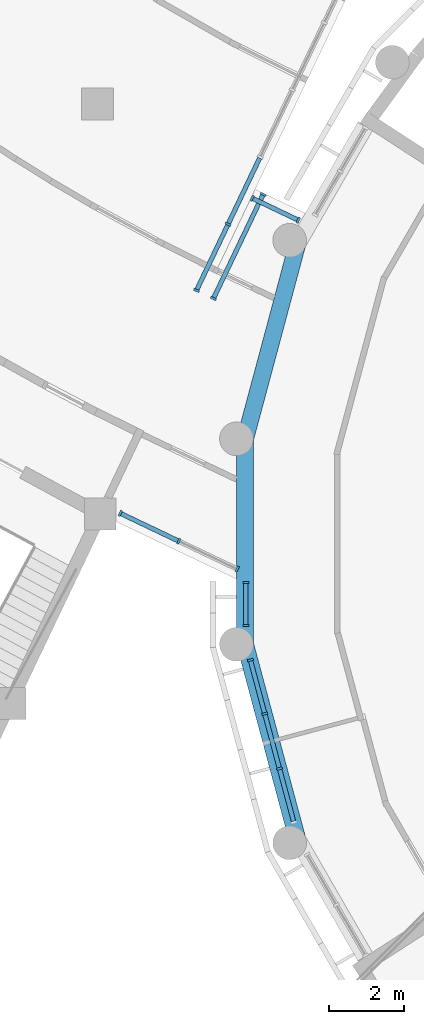
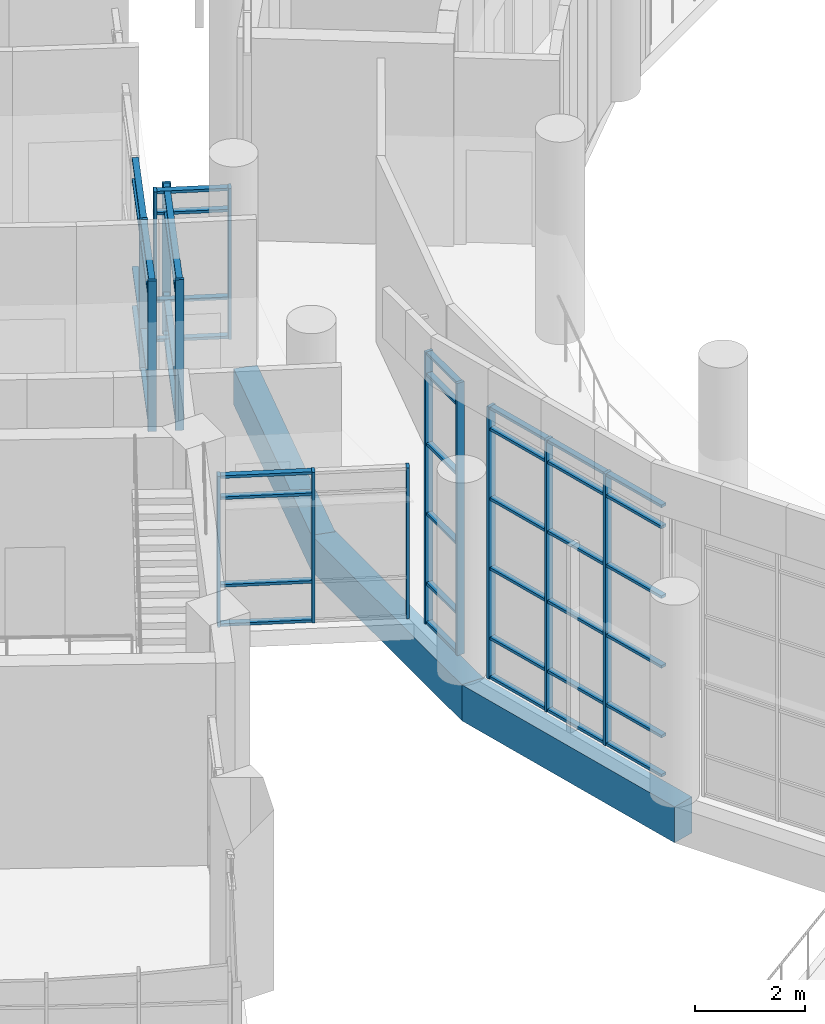
# One storey, part 12 of 136: 58 members, 3 beams, 6 elements without a shape of their own.
"""IFC4 building model written with IfcOpenShell, lengths in metres."""

from ifc_helpers import new_model, si_unit, direction, frame, origin, origin_2d, place, context, subcontext, project, spatial, rectangle, extrude, material, material_profile, profile_set, type_object, element, aggregate, save


model = new_model("IFC4")

# Units and contexts
model_context = context("Model", 3, precision=1e-05, world=origin(), true_north=direction((0.0, 1.0)))
body_context = subcontext(model_context, "Body", "Model", "MODEL_VIEW")
ifc_project = project(units=[si_unit("LENGTHUNIT", "METRE"), si_unit("AREAUNIT", "SQUARE_METRE"), si_unit("VOLUMEUNIT", "CUBIC_METRE"), si_unit("PLANEANGLEUNIT", "RADIAN"), si_unit("MASSUNIT", "GRAM", prefix="KILO")], contexts=[model_context])

# Site, building, storey
site_placement = place(None, origin())
site = spatial("IfcSite", under=ifc_project, at=site_placement, CompositionType="ELEMENT")
building_placement = place(site_placement, origin())
building = spatial("IfcBuilding", under=site, at=building_placement, Name="Bougainvillea Quay General Hospital", CompositionType="ELEMENT")
storey_placement = place(building_placement, frame((0.0, 0.0, 5.39990234375)))
storey = spatial("IfcBuildingStorey", under=building, at=storey_placement, Name="L01", CompositionType="ELEMENT", Elevation=5.39990234375)

# Curtain wall, members
ifc_material_1 = material(Name="Aluminium curtain wall system, powder-coated glazed", Category="aluminium")
curtain_wall_type_1 = type_object("IfcCurtainWallType", Name="Unitised curtain wall CW-1757", PredefinedType="NOTDEFINED", material=ifc_material_1)
curtain_wall_1_placement = place(storey_placement, origin())
curtain_wall_1 = element("IfcCurtainWall", 1, at=curtain_wall_1_placement, inside=storey, type_object=curtain_wall_type_1, Name="CW-AE 00", PredefinedType="NOTDEFINED")
ifc_material_2 = material(Name="Aluminium mullion, powder-coated charcoal", Category="aluminium")
ifc_material_profile_1 = material_profile(ifc_material_2, rectangle(XDim=0.159912109375, YDim=0.06005859375, at=origin_2d()))
ifc_profile_set_1 = profile_set([ifc_material_profile_1], Name="Aluminium mullion, powder-coated charcoal")
member_type_1 = type_object("IfcMemberType", Name="Curtain wall mullion 160x60", PredefinedType="MULLION", material=ifc_profile_set_1)
member_1_placement = place(storey_placement, frame((85.283447265625, 74.754150390625, 0.0), z_axis=(0.0, 0.0, 1.0), x_axis=(0.430463026068, 0.902608211345, 0.0)))
member_1 = element("IfcMember", 2, at=member_1_placement, type_object=member_type_1, Name="CW-AE mullion 1", PredefinedType="MULLION", context=body_context, shape_type="SweptSolid", body=[
    extrude(rectangle(XDim=0.159912109375, YDim=0.06005859375, at=origin_2d()), origin(), (0.0, 0.0, 1.0), 3.35009765625),
])
member_2_placement = place(storey_placement, frame((86.842041015625, 74.010986328125, 0.0), z_axis=(0.0, 0.0, 1.0), x_axis=(0.430463026068, 0.902608211345, 0.0)))
member_2 = element("IfcMember", 3, at=member_2_placement, type_object=member_type_1, Name="CW-AE mullion 2", PredefinedType="MULLION", context=body_context, shape_type="SweptSolid", body=[
    extrude(rectangle(XDim=0.159912109375, YDim=0.06005859375, at=origin_2d()), origin(), (0.0, 0.0, 1.0), 3.35009765625),
])
member_3_placement = place(storey_placement, frame((88.400634765625, 73.267578125, 0.0), z_axis=(0.0, 0.0, 1.0), x_axis=(0.430463026068, 0.902608211345, 0.0)))
member_3 = element("IfcMember", 4, at=member_3_placement, type_object=member_type_1, Name="CW-AE mullion 3", PredefinedType="MULLION", context=body_context, shape_type="SweptSolid", body=[
    extrude(rectangle(XDim=0.159912109375, YDim=0.06005859375, at=origin_2d()), origin(), (0.0, 0.0, 1.0), 3.35009765625),
])

curtain_wall_type_2 = type_object("IfcCurtainWallType", Name="Unitised curtain wall CW-1422", PredefinedType="NOTDEFINED", material=ifc_material_1)
curtain_wall_2_placement = place(storey_placement, origin())
curtain_wall_2 = element("IfcCurtainWall", 5, at=curtain_wall_2_placement, inside=storey, type_object=curtain_wall_type_2, Name="CW-AE 00", PredefinedType="NOTDEFINED")
member_4_placement = place(storey_placement, frame((90.0283203125, 82.5732421875, 0.0), z_axis=(0.0, 0.0, 1.0), x_axis=(-0.430534245195, -0.902574242771, 0.0)))
member_4 = element("IfcMember", 6, at=member_4_placement, type_object=member_type_1, Name="CW-AE mullion 1", PredefinedType="MULLION", context=body_context, shape_type="SweptSolid", body=[
    extrude(rectangle(XDim=0.159912109375, YDim=0.06005859375, at=origin_2d()), origin(), (0.0, 0.0, 1.0), 3.35009765625),
])
member_5_placement = place(storey_placement, frame((88.799560546875, 83.159423828125, 0.0), z_axis=(0.0, 0.0, 1.0), x_axis=(-0.430534245195, -0.902574242771, 0.0)))
member_5 = element("IfcMember", 7, at=member_5_placement, type_object=member_type_1, Name="CW-AE mullion 2", PredefinedType="MULLION", context=body_context, shape_type="SweptSolid", body=[
    extrude(rectangle(XDim=0.159912109375, YDim=0.06005859375, at=origin_2d()), origin(), (0.0, 0.0, 1.0), 3.35009765625),
])

curtain_wall_type_3 = type_object("IfcCurtainWallType", Name="Unitised curtain wall CW-3140", PredefinedType="NOTDEFINED", material=ifc_material_1)
curtain_wall_3_placement = place(storey_placement, origin())
curtain_wall_3 = element("IfcCurtainWall", 8, at=curtain_wall_3_placement, inside=storey, type_object=curtain_wall_type_3, Name="CW-AE 00", PredefinedType="NOTDEFINED")
member_6_placement = place(storey_placement, frame((89.0927734375, 83.26318359375, 0.0), z_axis=(0.0, 0.0, 1.0), x_axis=(0.902495109384, -0.430700101624, 0.0)))
member_6 = element("IfcMember", 9, at=member_6_placement, type_object=member_type_1, Name="CW-AE mullion 1", PredefinedType="MULLION", context=body_context, shape_type="SweptSolid", body=[
    extrude(rectangle(XDim=0.159912109375, YDim=0.06005859375, at=origin_2d()), origin(), (0.0, 0.0, 1.0), 3.35009765625),
])
member_7_placement = place(storey_placement, frame((87.7666015625, 80.484375, 0.0), z_axis=(0.0, 0.0, 1.0), x_axis=(0.902495109384, -0.430700101624, 0.0)))
member_7 = element("IfcMember", 10, at=member_7_placement, type_object=member_type_1, Name="CW-AE mullion 2", PredefinedType="MULLION", context=body_context, shape_type="SweptSolid", body=[
    extrude(rectangle(XDim=0.159912109375, YDim=0.06005859375, at=origin_2d()), origin(), (0.0, 0.0, 1.0), 3.35009765625),
])

curtain_wall_type_4 = type_object("IfcCurtainWallType", Name="Unitised curtain wall CW-1985", PredefinedType="NOTDEFINED", material=ifc_material_1)
curtain_wall_4_placement = place(storey_placement, origin())
curtain_wall_4 = element("IfcCurtainWall", 11, at=curtain_wall_4_placement, inside=storey, type_object=curtain_wall_type_4, Name="CW-AE 00", PredefinedType="NOTDEFINED")
member_8_placement = place(storey_placement, frame((87.315185546875, 80.69970703125, 0.0), z_axis=(0.0, 0.0, 1.0), x_axis=(-0.902560506484, 0.430563040838, 0.0)))
member_8 = element("IfcMember", 12, at=member_8_placement, type_object=member_type_1, Name="CW-AE mullion 1", PredefinedType="MULLION", context=body_context, shape_type="SweptSolid", body=[
    extrude(rectangle(XDim=0.159912109375, YDim=0.06005859375, at=origin_2d()), origin(), (0.0, 0.0, 1.0), 3.35009765625),
])
member_9_placement = place(storey_placement, frame((88.156982421875, 82.464111328125, 0.0), z_axis=(0.0, 0.0, 1.0), x_axis=(-0.902560506484, 0.430563040838, 0.0)))
member_9 = element("IfcMember", 13, at=member_9_placement, type_object=member_type_1, Name="CW-AE mullion 2", PredefinedType="MULLION", context=body_context, shape_type="SweptSolid", body=[
    extrude(rectangle(XDim=0.159912109375, YDim=0.06005859375, at=origin_2d()), origin(), (0.0, 0.0, 1.0), 3.35009765625),
])

curtain_wall_type_5 = type_object("IfcCurtainWallType", Name="Unitised curtain wall CW-1211", PredefinedType="NOTDEFINED", material=ifc_material_1)
curtain_wall_5_placement = place(storey_placement, origin())
curtain_wall_5 = element("IfcCurtainWall", 14, at=curtain_wall_5_placement, inside=storey, type_object=curtain_wall_type_5, Name="CW-D 00", PredefinedType="NOTDEFINED")
member_10_placement = place(storey_placement, frame((88.6298828125, 72.909912109375, 0.0), z_axis=(0.0, 0.0, 1.0), x_axis=(1.0, 0.0, 0.0)))
member_10 = element("IfcMember", 15, at=member_10_placement, type_object=member_type_1, Name="CW-D mullion 1", PredefinedType="MULLION", context=body_context, shape_type="SweptSolid", body=[
    extrude(rectangle(XDim=0.159912109375, YDim=0.06005859375, at=origin_2d()), origin(), (0.0, 0.0, 1.0), 6.050048828125),
])
member_11_placement = place(storey_placement, frame((88.6298828125, 71.759033203125, 0.0), z_axis=(0.0, 0.0, 1.0), x_axis=(1.0, 0.0, 0.0)))
member_11 = element("IfcMember", 16, at=member_11_placement, type_object=member_type_1, Name="CW-D mullion 2", PredefinedType="MULLION", context=body_context, shape_type="SweptSolid", body=[
    extrude(rectangle(XDim=0.159912109375, YDim=0.06005859375, at=origin_2d()), origin(), (0.0, 0.0, 1.0), 6.050048828125),
])

curtain_wall_type_6 = type_object("IfcCurtainWallType", Name="Unitised curtain wall CW-1514", PredefinedType="NOTDEFINED", material=ifc_material_1)
curtain_wall_6_placement = place(storey_placement, origin())
curtain_wall_6 = element("IfcCurtainWall", 17, at=curtain_wall_6_placement, inside=storey, type_object=curtain_wall_type_6, Name="CW-D 00", PredefinedType="NOTDEFINED")
member_12_placement = place(storey_placement, frame((88.7509765625, 70.8408203125, 0.0), z_axis=(0.0, 0.0, 1.0), x_axis=(0.965916292974, 0.258854621298, 0.0)))
member_12 = element("IfcMember", 18, at=member_12_placement, type_object=member_type_1, Name="CW-D mullion 1", PredefinedType="MULLION", context=body_context, shape_type="SweptSolid", body=[
    extrude(rectangle(XDim=0.159912109375, YDim=0.06005859375, at=origin_2d()), origin(), (0.0, 0.0, 1.0), 6.050048828125),
])
member_13_placement = place(storey_placement, frame((89.135009765625, 69.407470703125, 0.0), z_axis=(0.0, 0.0, 1.0), x_axis=(0.965916292974, 0.258854621298, 0.0)))
member_13 = element("IfcMember", 19, at=member_13_placement, type_object=member_type_1, Name="CW-D mullion 2", PredefinedType="MULLION", context=body_context, shape_type="SweptSolid", body=[
    extrude(rectangle(XDim=0.159912109375, YDim=0.06005859375, at=origin_2d()), origin(), (0.0, 0.0, 1.0), 6.050048828125),
])
member_14_placement = place(storey_placement, frame((89.52685546875, 67.945068359375, 0.0), z_axis=(0.0, 0.0, 1.0), x_axis=(0.965916292974, 0.258854621298, 0.0)))
member_14 = element("IfcMember", 20, at=member_14_placement, type_object=member_type_1, Name="CW-D mullion 3", PredefinedType="MULLION", context=body_context, shape_type="SweptSolid", body=[
    extrude(rectangle(XDim=0.159912109375, YDim=0.06005859375, at=origin_2d()), origin(), (0.0, 0.0, 1.0), 6.050048828125),
])

# Member
ifc_material_3 = material(Name="Aluminium transom, powder-coated charcoal", Category="aluminium")
ifc_material_profile_2 = material_profile(ifc_material_3, rectangle(XDim=0.1201171875, YDim=0.06005859375, at=origin_2d()))
ifc_profile_set_2 = profile_set([ifc_material_profile_2], Name="Aluminium transom, powder-coated charcoal")
member_type_2 = type_object("IfcMemberType", Name="Curtain wall transom 120x60", PredefinedType="USERDEFINED", material=ifc_profile_set_2)
member_15_placement = place(storey_placement, frame((85.310546875, 74.7412109375, 0.030029296875), z_axis=(0.902592298262, -0.430496391527, 0.0), x_axis=(0.430496391527, 0.902592298262, 0.0)))
member_15 = element("IfcMember", 21, at=member_15_placement, type_object=member_type_2, Name="CW-AE transom 1.1", ObjectType="TRANSOM", PredefinedType="USERDEFINED", context=body_context, shape_type="SweptSolid", body=[
    extrude(rectangle(XDim=0.1201171875, YDim=0.06005859375, at=origin_2d()), origin(), (0.0, 0.0, 1.0), 1.666748046875),
])

member_16_placement = place(storey_placement, frame((85.310546875, 74.7412109375, 0.900146484375), z_axis=(0.902592298262, -0.430496391527, 0.0), x_axis=(0.430496391527, 0.902592298262, 0.0)))
member_16 = element("IfcMember", 22, at=member_16_placement, type_object=member_type_2, Name="CW-AE transom 1.2", ObjectType="TRANSOM", PredefinedType="USERDEFINED", context=body_context, shape_type="SweptSolid", body=[
    extrude(rectangle(XDim=0.1201171875, YDim=0.06005859375, at=origin_2d()), origin(), (0.0, 0.0, 1.0), 1.666748046875),
])

member_17_placement = place(storey_placement, frame((85.310546875, 74.7412109375, 2.85009765625), z_axis=(0.902592298262, -0.430496391527, 0.0), x_axis=(0.430496391527, 0.902592298262, 0.0)))
member_17 = element("IfcMember", 23, at=member_17_placement, type_object=member_type_2, Name="CW-AE transom 1.3", ObjectType="TRANSOM", PredefinedType="USERDEFINED", context=body_context, shape_type="SweptSolid", body=[
    extrude(rectangle(XDim=0.1201171875, YDim=0.06005859375, at=origin_2d()), origin(), (0.0, 0.0, 1.0), 1.666748046875),
])

member_18_placement = place(storey_placement, frame((85.310546875, 74.7412109375, 3.320068359375), z_axis=(0.902592298262, -0.430496391527, 0.0), x_axis=(0.430496391527, 0.902592298262, 0.0)))
member_18 = element("IfcMember", 24, at=member_18_placement, type_object=member_type_2, Name="CW-AE transom 1.4", ObjectType="TRANSOM", PredefinedType="USERDEFINED", context=body_context, shape_type="SweptSolid", body=[
    extrude(rectangle(XDim=0.1201171875, YDim=0.06005859375, at=origin_2d()), origin(), (0.0, 0.0, 1.0), 1.666748046875),
])

aggregate(curtain_wall_1, [member_1, member_2, member_3, member_15, member_16, member_17, member_18])

member_19_placement = place(storey_placement, frame((90.001220703125, 82.586181640625, 0.030029296875), z_axis=(-0.902600317452, 0.430479577837, 0.0), x_axis=(-0.430479577837, -0.902600317452, 0.0)))
member_19 = element("IfcMember", 25, at=member_19_placement, type_object=member_type_2, Name="CW-AE transom 1.1", ObjectType="TRANSOM", PredefinedType="USERDEFINED", context=body_context, shape_type="SweptSolid", body=[
    extrude(rectangle(XDim=0.1201171875, YDim=0.06005859375, at=origin_2d()), origin(), (0.0, 0.0, 1.0), 1.301513671875),
])

member_20_placement = place(storey_placement, frame((90.001220703125, 82.586181640625, 0.900146484375), z_axis=(-0.902600317452, 0.430479577837, 0.0), x_axis=(-0.430479577837, -0.902600317452, 0.0)))
member_20 = element("IfcMember", 26, at=member_20_placement, type_object=member_type_2, Name="CW-AE transom 1.2", ObjectType="TRANSOM", PredefinedType="USERDEFINED", context=body_context, shape_type="SweptSolid", body=[
    extrude(rectangle(XDim=0.1201171875, YDim=0.06005859375, at=origin_2d()), origin(), (0.0, 0.0, 1.0), 1.301513671875),
])

member_21_placement = place(storey_placement, frame((90.001220703125, 82.586181640625, 2.85009765625), z_axis=(-0.902600317452, 0.430479577837, 0.0), x_axis=(-0.430479577837, -0.902600317452, 0.0)))
member_21 = element("IfcMember", 27, at=member_21_placement, type_object=member_type_2, Name="CW-AE transom 1.3", ObjectType="TRANSOM", PredefinedType="USERDEFINED", context=body_context, shape_type="SweptSolid", body=[
    extrude(rectangle(XDim=0.1201171875, YDim=0.06005859375, at=origin_2d()), origin(), (0.0, 0.0, 1.0), 1.301513671875),
])

member_22_placement = place(storey_placement, frame((90.001220703125, 82.586181640625, 3.320068359375), z_axis=(-0.902600317452, 0.430479577837, 0.0), x_axis=(-0.430479577837, -0.902600317452, 0.0)))
member_22 = element("IfcMember", 28, at=member_22_placement, type_object=member_type_2, Name="CW-AE transom 1.4", ObjectType="TRANSOM", PredefinedType="USERDEFINED", context=body_context, shape_type="SweptSolid", body=[
    extrude(rectangle(XDim=0.1201171875, YDim=0.06005859375, at=origin_2d()), origin(), (0.0, 0.0, 1.0), 1.301513671875),
])

aggregate(curtain_wall_2, [member_4, member_5, member_19, member_20, member_21, member_22])

member_23_placement = place(storey_placement, frame((89.079833984375, 83.236083984375, 0.030029296875), z_axis=(-0.430705635106, -0.902492468604, 0.0), x_axis=(0.902492468604, -0.430705635106, 0.0)))
member_23 = element("IfcMember", 29, at=member_23_placement, type_object=member_type_2, Name="CW-AE transom 1.1", ObjectType="TRANSOM", PredefinedType="USERDEFINED", context=body_context, shape_type="SweptSolid", body=[
    extrude(rectangle(XDim=0.1201171875, YDim=0.06005859375, at=origin_2d()), origin(), (0.0, 0.0, 1.0), 3.01904296875),
])

member_24_placement = place(storey_placement, frame((89.079833984375, 83.236083984375, 0.900146484375), z_axis=(-0.430705635106, -0.902492468604, 0.0), x_axis=(0.902492468604, -0.430705635106, 0.0)))
member_24 = element("IfcMember", 30, at=member_24_placement, type_object=member_type_2, Name="CW-AE transom 1.2", ObjectType="TRANSOM", PredefinedType="USERDEFINED", context=body_context, shape_type="SweptSolid", body=[
    extrude(rectangle(XDim=0.1201171875, YDim=0.06005859375, at=origin_2d()), origin(), (0.0, 0.0, 1.0), 3.01904296875),
])

member_25_placement = place(storey_placement, frame((89.079833984375, 83.236083984375, 2.85009765625), z_axis=(-0.430705635106, -0.902492468604, 0.0), x_axis=(0.902492468604, -0.430705635106, 0.0)))
member_25 = element("IfcMember", 31, at=member_25_placement, type_object=member_type_2, Name="CW-AE transom 1.3", ObjectType="TRANSOM", PredefinedType="USERDEFINED", context=body_context, shape_type="SweptSolid", body=[
    extrude(rectangle(XDim=0.1201171875, YDim=0.06005859375, at=origin_2d()), origin(), (0.0, 0.0, 1.0), 3.01904296875),
])

member_26_placement = place(storey_placement, frame((89.079833984375, 83.236083984375, 3.320068359375), z_axis=(-0.430705635106, -0.902492468604, 0.0), x_axis=(0.902492468604, -0.430705635106, 0.0)))
member_26 = element("IfcMember", 32, at=member_26_placement, type_object=member_type_2, Name="CW-AE transom 1.4", ObjectType="TRANSOM", PredefinedType="USERDEFINED", context=body_context, shape_type="SweptSolid", body=[
    extrude(rectangle(XDim=0.1201171875, YDim=0.06005859375, at=origin_2d()), origin(), (0.0, 0.0, 1.0), 3.01904296875),
])

aggregate(curtain_wall_3, [member_6, member_7, member_23, member_24, member_25, member_26])

member_27_placement = place(storey_placement, frame((87.328125, 80.726806640625, 0.030029296875), z_axis=(0.430593637494, 0.902545909829, 0.0), x_axis=(-0.902545909829, 0.430593637494, 0.0)))
member_27 = element("IfcMember", 33, at=member_27_placement, type_object=member_type_2, Name="CW-AE transom 1.1", ObjectType="TRANSOM", PredefinedType="USERDEFINED", context=body_context, shape_type="SweptSolid", body=[
    extrude(rectangle(XDim=0.1201171875, YDim=0.06005859375, at=origin_2d()), origin(), (0.0, 0.0, 1.0), 1.894775390625),
])

member_28_placement = place(storey_placement, frame((87.328125, 80.726806640625, 0.900146484375), z_axis=(0.430593637494, 0.902545909829, 0.0), x_axis=(-0.902545909829, 0.430593637494, 0.0)))
member_28 = element("IfcMember", 34, at=member_28_placement, type_object=member_type_2, Name="CW-AE transom 1.2", ObjectType="TRANSOM", PredefinedType="USERDEFINED", context=body_context, shape_type="SweptSolid", body=[
    extrude(rectangle(XDim=0.1201171875, YDim=0.06005859375, at=origin_2d()), origin(), (0.0, 0.0, 1.0), 1.894775390625),
])

member_29_placement = place(storey_placement, frame((87.328125, 80.726806640625, 2.85009765625), z_axis=(0.430593637494, 0.902545909829, 0.0), x_axis=(-0.902545909829, 0.430593637494, 0.0)))
member_29 = element("IfcMember", 35, at=member_29_placement, type_object=member_type_2, Name="CW-AE transom 1.3", ObjectType="TRANSOM", PredefinedType="USERDEFINED", context=body_context, shape_type="SweptSolid", body=[
    extrude(rectangle(XDim=0.1201171875, YDim=0.06005859375, at=origin_2d()), origin(), (0.0, 0.0, 1.0), 1.894775390625),
])

member_30_placement = place(storey_placement, frame((87.328125, 80.726806640625, 3.320068359375), z_axis=(0.430593637494, 0.902545909829, 0.0), x_axis=(-0.902545909829, 0.430593637494, 0.0)))
member_30 = element("IfcMember", 36, at=member_30_placement, type_object=member_type_2, Name="CW-AE transom 1.4", ObjectType="TRANSOM", PredefinedType="USERDEFINED", context=body_context, shape_type="SweptSolid", body=[
    extrude(rectangle(XDim=0.1201171875, YDim=0.06005859375, at=origin_2d()), origin(), (0.0, 0.0, 1.0), 1.894775390625),
])

member_31_placement = place(storey_placement, frame((88.169921875, 82.4912109375, 0.030029296875), z_axis=(0.430598106439, 0.902543777737, 0.0), x_axis=(-0.902543777737, 0.430598106439, 0.0)))
member_31 = element("IfcMember", 37, at=member_31_placement, type_object=member_type_2, Name="CW-AE transom 2.1", ObjectType="TRANSOM", PredefinedType="USERDEFINED", context=body_context, shape_type="SweptSolid", body=[
    extrude(rectangle(XDim=0.1201171875, YDim=0.06005859375, at=origin_2d()), origin(), (0.0, 0.0, 1.0), 1.9248046875),
])

member_32_placement = place(storey_placement, frame((88.169921875, 82.4912109375, 0.900146484375), z_axis=(0.430598106439, 0.902543777737, 0.0), x_axis=(-0.902543777737, 0.430598106439, 0.0)))
member_32 = element("IfcMember", 38, at=member_32_placement, type_object=member_type_2, Name="CW-AE transom 2.2", ObjectType="TRANSOM", PredefinedType="USERDEFINED", context=body_context, shape_type="SweptSolid", body=[
    extrude(rectangle(XDim=0.1201171875, YDim=0.06005859375, at=origin_2d()), origin(), (0.0, 0.0, 1.0), 1.9248046875),
])

member_33_placement = place(storey_placement, frame((88.169921875, 82.4912109375, 2.85009765625), z_axis=(0.430598106439, 0.902543777737, 0.0), x_axis=(-0.902543777737, 0.430598106439, 0.0)))
member_33 = element("IfcMember", 39, at=member_33_placement, type_object=member_type_2, Name="CW-AE transom 2.3", ObjectType="TRANSOM", PredefinedType="USERDEFINED", context=body_context, shape_type="SweptSolid", body=[
    extrude(rectangle(XDim=0.1201171875, YDim=0.06005859375, at=origin_2d()), origin(), (0.0, 0.0, 1.0), 1.9248046875),
])

member_34_placement = place(storey_placement, frame((88.169921875, 82.4912109375, 3.320068359375), z_axis=(0.430598106439, 0.902543777737, 0.0), x_axis=(-0.902543777737, 0.430598106439, 0.0)))
member_34 = element("IfcMember", 40, at=member_34_placement, type_object=member_type_2, Name="CW-AE transom 2.4", ObjectType="TRANSOM", PredefinedType="USERDEFINED", context=body_context, shape_type="SweptSolid", body=[
    extrude(rectangle(XDim=0.1201171875, YDim=0.06005859375, at=origin_2d()), origin(), (0.0, 0.0, 1.0), 1.9248046875),
])

aggregate(curtain_wall_4, [member_8, member_9, member_27, member_28, member_29, member_30, member_31, member_32, member_33, member_34])

member_35_placement = place(storey_placement, frame((88.6298828125, 72.8798828125, 0.030029296875), z_axis=(0.0, -1.0, 0.0), x_axis=(1.0, 0.0, 0.0)))
member_35 = element("IfcMember", 41, at=member_35_placement, type_object=member_type_2, Name="CW-D transom 1.1", ObjectType="TRANSOM", PredefinedType="USERDEFINED", context=body_context, shape_type="SweptSolid", body=[
    extrude(rectangle(XDim=0.1201171875, YDim=0.06005859375, at=origin_2d()), origin(), (0.0, 0.0, 1.0), 1.0908203125),
])

member_36_placement = place(storey_placement, frame((88.6298828125, 72.8798828125, 0.900146484375), z_axis=(0.0, -1.0, 0.0), x_axis=(1.0, 0.0, 0.0)))
member_36 = element("IfcMember", 42, at=member_36_placement, type_object=member_type_2, Name="CW-D transom 1.2", ObjectType="TRANSOM", PredefinedType="USERDEFINED", context=body_context, shape_type="SweptSolid", body=[
    extrude(rectangle(XDim=0.1201171875, YDim=0.06005859375, at=origin_2d()), origin(), (0.0, 0.0, 1.0), 1.0908203125),
])

member_37_placement = place(storey_placement, frame((88.6298828125, 72.8798828125, 2.4501953125), z_axis=(0.0, -1.0, 0.0), x_axis=(1.0, 0.0, 0.0)))
member_37 = element("IfcMember", 43, at=member_37_placement, type_object=member_type_2, Name="CW-D transom 1.3", ObjectType="TRANSOM", PredefinedType="USERDEFINED", context=body_context, shape_type="SweptSolid", body=[
    extrude(rectangle(XDim=0.1201171875, YDim=0.06005859375, at=origin_2d()), origin(), (0.0, 0.0, 1.0), 1.0908203125),
])

member_38_placement = place(storey_placement, frame((88.6298828125, 72.8798828125, 4.0), z_axis=(0.0, -1.0, 0.0), x_axis=(1.0, 0.0, 0.0)))
member_38 = element("IfcMember", 44, at=member_38_placement, type_object=member_type_2, Name="CW-D transom 1.4", ObjectType="TRANSOM", PredefinedType="USERDEFINED", context=body_context, shape_type="SweptSolid", body=[
    extrude(rectangle(XDim=0.1201171875, YDim=0.06005859375, at=origin_2d()), origin(), (0.0, 0.0, 1.0), 1.0908203125),
])

member_39_placement = place(storey_placement, frame((88.6298828125, 72.8798828125, 5.550048828125), z_axis=(0.0, -1.0, 0.0), x_axis=(1.0, 0.0, 0.0)))
member_39 = element("IfcMember", 45, at=member_39_placement, type_object=member_type_2, Name="CW-D transom 1.5", ObjectType="TRANSOM", PredefinedType="USERDEFINED", context=body_context, shape_type="SweptSolid", body=[
    extrude(rectangle(XDim=0.1201171875, YDim=0.06005859375, at=origin_2d()), origin(), (0.0, 0.0, 1.0), 1.0908203125),
])

member_40_placement = place(storey_placement, frame((88.6298828125, 72.8798828125, 6.02001953125), z_axis=(0.0, -1.0, 0.0), x_axis=(1.0, 0.0, 0.0)))
member_40 = element("IfcMember", 46, at=member_40_placement, type_object=member_type_2, Name="CW-D transom 1.6", ObjectType="TRANSOM", PredefinedType="USERDEFINED", context=body_context, shape_type="SweptSolid", body=[
    extrude(rectangle(XDim=0.1201171875, YDim=0.06005859375, at=origin_2d()), origin(), (0.0, 0.0, 1.0), 1.0908203125),
])

aggregate(curtain_wall_5, [member_10, member_11, member_35, member_36, member_37, member_38, member_39, member_40])

member_41_placement = place(storey_placement, frame((88.7587890625, 70.811767578125, 0.030029296875), z_axis=(0.258718945225, -0.965952642411, 0.0), x_axis=(0.965952642411, 0.258718945225, 0.0)))
member_41 = element("IfcMember", 47, at=member_41_placement, type_object=member_type_2, Name="CW-D transom 1.1", ObjectType="TRANSOM", PredefinedType="USERDEFINED", context=body_context, shape_type="SweptSolid", body=[
    extrude(rectangle(XDim=0.1201171875, YDim=0.06005859375, at=origin_2d()), origin(), (0.0, 0.0, 1.0), 1.424072265625),
])

member_42_placement = place(storey_placement, frame((88.7587890625, 70.811767578125, 0.900146484375), z_axis=(0.258718945225, -0.965952642411, 0.0), x_axis=(0.965952642411, 0.258718945225, 0.0)))
member_42 = element("IfcMember", 48, at=member_42_placement, type_object=member_type_2, Name="CW-D transom 1.2", ObjectType="TRANSOM", PredefinedType="USERDEFINED", context=body_context, shape_type="SweptSolid", body=[
    extrude(rectangle(XDim=0.1201171875, YDim=0.06005859375, at=origin_2d()), origin(), (0.0, 0.0, 1.0), 1.424072265625),
])

member_43_placement = place(storey_placement, frame((88.7587890625, 70.811767578125, 2.4501953125), z_axis=(0.258718945225, -0.965952642411, 0.0), x_axis=(0.965952642411, 0.258718945225, 0.0)))
member_43 = element("IfcMember", 49, at=member_43_placement, type_object=member_type_2, Name="CW-D transom 1.3", ObjectType="TRANSOM", PredefinedType="USERDEFINED", context=body_context, shape_type="SweptSolid", body=[
    extrude(rectangle(XDim=0.1201171875, YDim=0.06005859375, at=origin_2d()), origin(), (0.0, 0.0, 1.0), 1.424072265625),
])

member_44_placement = place(storey_placement, frame((88.7587890625, 70.811767578125, 4.0), z_axis=(0.258718945225, -0.965952642411, 0.0), x_axis=(0.965952642411, 0.258718945225, 0.0)))
member_44 = element("IfcMember", 50, at=member_44_placement, type_object=member_type_2, Name="CW-D transom 1.4", ObjectType="TRANSOM", PredefinedType="USERDEFINED", context=body_context, shape_type="SweptSolid", body=[
    extrude(rectangle(XDim=0.1201171875, YDim=0.06005859375, at=origin_2d()), origin(), (0.0, 0.0, 1.0), 1.424072265625),
])

member_45_placement = place(storey_placement, frame((88.7587890625, 70.811767578125, 5.550048828125), z_axis=(0.258718945225, -0.965952642411, 0.0), x_axis=(0.965952642411, 0.258718945225, 0.0)))
member_45 = element("IfcMember", 51, at=member_45_placement, type_object=member_type_2, Name="CW-D transom 1.5", ObjectType="TRANSOM", PredefinedType="USERDEFINED", context=body_context, shape_type="SweptSolid", body=[
    extrude(rectangle(XDim=0.1201171875, YDim=0.06005859375, at=origin_2d()), origin(), (0.0, 0.0, 1.0), 1.424072265625),
])

member_46_placement = place(storey_placement, frame((88.7587890625, 70.811767578125, 6.02001953125), z_axis=(0.258718945225, -0.965952642411, 0.0), x_axis=(0.965952642411, 0.258718945225, 0.0)))
member_46 = element("IfcMember", 52, at=member_46_placement, type_object=member_type_2, Name="CW-D transom 1.6", ObjectType="TRANSOM", PredefinedType="USERDEFINED", context=body_context, shape_type="SweptSolid", body=[
    extrude(rectangle(XDim=0.1201171875, YDim=0.06005859375, at=origin_2d()), origin(), (0.0, 0.0, 1.0), 1.424072265625),
])

member_47_placement = place(storey_placement, frame((89.142822265625, 69.37841796875, 0.030029296875), z_axis=(0.258780853081, -0.965936059001, 0.0), x_axis=(0.965936059001, 0.258780853081, 0.0)))
member_47 = element("IfcMember", 53, at=member_47_placement, type_object=member_type_2, Name="CW-D transom 2.1", ObjectType="TRANSOM", PredefinedType="USERDEFINED", context=body_context, shape_type="SweptSolid", body=[
    extrude(rectangle(XDim=0.1201171875, YDim=0.06005859375, at=origin_2d()), origin(), (0.0, 0.0, 1.0), 1.453857421875),
])

member_48_placement = place(storey_placement, frame((89.142822265625, 69.37841796875, 0.900146484375), z_axis=(0.258780853081, -0.965936059001, 0.0), x_axis=(0.965936059001, 0.258780853081, 0.0)))
member_48 = element("IfcMember", 54, at=member_48_placement, type_object=member_type_2, Name="CW-D transom 2.2", ObjectType="TRANSOM", PredefinedType="USERDEFINED", context=body_context, shape_type="SweptSolid", body=[
    extrude(rectangle(XDim=0.1201171875, YDim=0.06005859375, at=origin_2d()), origin(), (0.0, 0.0, 1.0), 1.453857421875),
])

member_49_placement = place(storey_placement, frame((89.142822265625, 69.37841796875, 2.4501953125), z_axis=(0.258780853081, -0.965936059001, 0.0), x_axis=(0.965936059001, 0.258780853081, 0.0)))
member_49 = element("IfcMember", 55, at=member_49_placement, type_object=member_type_2, Name="CW-D transom 2.3", ObjectType="TRANSOM", PredefinedType="USERDEFINED", context=body_context, shape_type="SweptSolid", body=[
    extrude(rectangle(XDim=0.1201171875, YDim=0.06005859375, at=origin_2d()), origin(), (0.0, 0.0, 1.0), 1.453857421875),
])

member_50_placement = place(storey_placement, frame((89.142822265625, 69.37841796875, 4.0), z_axis=(0.258780853081, -0.965936059001, 0.0), x_axis=(0.965936059001, 0.258780853081, 0.0)))
member_50 = element("IfcMember", 56, at=member_50_placement, type_object=member_type_2, Name="CW-D transom 2.4", ObjectType="TRANSOM", PredefinedType="USERDEFINED", context=body_context, shape_type="SweptSolid", body=[
    extrude(rectangle(XDim=0.1201171875, YDim=0.06005859375, at=origin_2d()), origin(), (0.0, 0.0, 1.0), 1.453857421875),
])

member_51_placement = place(storey_placement, frame((89.142822265625, 69.37841796875, 5.550048828125), z_axis=(0.258780853081, -0.965936059001, 0.0), x_axis=(0.965936059001, 0.258780853081, 0.0)))
member_51 = element("IfcMember", 57, at=member_51_placement, type_object=member_type_2, Name="CW-D transom 2.5", ObjectType="TRANSOM", PredefinedType="USERDEFINED", context=body_context, shape_type="SweptSolid", body=[
    extrude(rectangle(XDim=0.1201171875, YDim=0.06005859375, at=origin_2d()), origin(), (0.0, 0.0, 1.0), 1.453857421875),
])

member_52_placement = place(storey_placement, frame((89.142822265625, 69.37841796875, 6.02001953125), z_axis=(0.258780853081, -0.965936059001, 0.0), x_axis=(0.965936059001, 0.258780853081, 0.0)))
member_52 = element("IfcMember", 58, at=member_52_placement, type_object=member_type_2, Name="CW-D transom 2.6", ObjectType="TRANSOM", PredefinedType="USERDEFINED", context=body_context, shape_type="SweptSolid", body=[
    extrude(rectangle(XDim=0.1201171875, YDim=0.06005859375, at=origin_2d()), origin(), (0.0, 0.0, 1.0), 1.453857421875),
])

member_53_placement = place(storey_placement, frame((89.53466796875, 67.916015625, 0.030029296875), z_axis=(0.258878909043, -0.965909783806, 0.0), x_axis=(0.965909783806, 0.258878909043, 0.0)))
member_53 = element("IfcMember", 59, at=member_53_placement, type_object=member_type_2, Name="CW-D transom 3.1", ObjectType="TRANSOM", PredefinedType="USERDEFINED", context=body_context, shape_type="SweptSolid", body=[
    extrude(rectangle(XDim=0.1201171875, YDim=0.06005859375, at=origin_2d()), origin(), (0.0, 0.0, 1.0), 1.424072265625),
])

member_54_placement = place(storey_placement, frame((89.53466796875, 67.916015625, 0.900146484375), z_axis=(0.258878909043, -0.965909783806, 0.0), x_axis=(0.965909783806, 0.258878909043, 0.0)))
member_54 = element("IfcMember", 60, at=member_54_placement, type_object=member_type_2, Name="CW-D transom 3.2", ObjectType="TRANSOM", PredefinedType="USERDEFINED", context=body_context, shape_type="SweptSolid", body=[
    extrude(rectangle(XDim=0.1201171875, YDim=0.06005859375, at=origin_2d()), origin(), (0.0, 0.0, 1.0), 1.424072265625),
])

member_55_placement = place(storey_placement, frame((89.53466796875, 67.916015625, 2.4501953125), z_axis=(0.258878909043, -0.965909783806, 0.0), x_axis=(0.965909783806, 0.258878909043, 0.0)))
member_55 = element("IfcMember", 61, at=member_55_placement, type_object=member_type_2, Name="CW-D transom 3.3", ObjectType="TRANSOM", PredefinedType="USERDEFINED", context=body_context, shape_type="SweptSolid", body=[
    extrude(rectangle(XDim=0.1201171875, YDim=0.06005859375, at=origin_2d()), origin(), (0.0, 0.0, 1.0), 1.424072265625),
])

member_56_placement = place(storey_placement, frame((89.53466796875, 67.916015625, 4.0), z_axis=(0.258878909043, -0.965909783806, 0.0), x_axis=(0.965909783806, 0.258878909043, 0.0)))
member_56 = element("IfcMember", 62, at=member_56_placement, type_object=member_type_2, Name="CW-D transom 3.4", ObjectType="TRANSOM", PredefinedType="USERDEFINED", context=body_context, shape_type="SweptSolid", body=[
    extrude(rectangle(XDim=0.1201171875, YDim=0.06005859375, at=origin_2d()), origin(), (0.0, 0.0, 1.0), 1.424072265625),
])

member_57_placement = place(storey_placement, frame((89.53466796875, 67.916015625, 5.550048828125), z_axis=(0.258878909043, -0.965909783806, 0.0), x_axis=(0.965909783806, 0.258878909043, 0.0)))
member_57 = element("IfcMember", 63, at=member_57_placement, type_object=member_type_2, Name="CW-D transom 3.5", ObjectType="TRANSOM", PredefinedType="USERDEFINED", context=body_context, shape_type="SweptSolid", body=[
    extrude(rectangle(XDim=0.1201171875, YDim=0.06005859375, at=origin_2d()), origin(), (0.0, 0.0, 1.0), 1.424072265625),
])

member_58_placement = place(storey_placement, frame((89.53466796875, 67.916015625, 6.02001953125), z_axis=(0.258878909043, -0.965909783806, 0.0), x_axis=(0.965909783806, 0.258878909043, 0.0)))
member_58 = element("IfcMember", 64, at=member_58_placement, type_object=member_type_2, Name="CW-D transom 3.6", ObjectType="TRANSOM", PredefinedType="USERDEFINED", context=body_context, shape_type="SweptSolid", body=[
    extrude(rectangle(XDim=0.1201171875, YDim=0.06005859375, at=origin_2d()), origin(), (0.0, 0.0, 1.0), 1.424072265625),
])

aggregate(curtain_wall_6, [member_12, member_13, member_14, member_41, member_42, member_43, member_44, member_45, member_46, member_47, member_48, member_49, member_50, member_51, member_52, member_53, member_54, member_55, member_56, member_57, member_58])

# Beams
ifc_material_4 = material(Name="Concrete C40", Category="concrete")
ifc_material_profile_3 = material_profile(ifc_material_4, rectangle(XDim=0.449951171875, YDim=0.800048828125, at=origin_2d()))
ifc_profile_set_3 = profile_set([ifc_material_profile_3], Name="Concrete C40")
beam_type = type_object("IfcBeamType", Name="RC BEAM 450x800 C40", PredefinedType="BEAM", material=ifc_profile_set_3)
beam_1_placement = place(storey_placement, frame((90.016357421875, 81.977783203125, -0.699951171875), z_axis=(-0.258848876884, -0.965917832393, 0.0), x_axis=(0.965917832393, -0.258848876884, 0.0)))
element("IfcBeam", 65, at=beam_1_placement, inside=storey, type_object=beam_type, Name="Edge beam L01", PredefinedType="BEAM", context=body_context, shape_type="SweptSolid", body=[
    extrude(rectangle(XDim=0.449951171875, YDim=0.800048828125, at=origin_2d()), origin(), (0.0, 0.0, 1.0), 5.481689453125),
])
beam_2_placement = place(storey_placement, frame((88.60498046875, 76.740966796875, -0.699951171875), z_axis=(0.0, -1.0, 0.0), x_axis=(1.0, 0.0, 0.0)))
element("IfcBeam", 66, at=beam_2_placement, inside=storey, type_object=beam_type, Name="Edge beam L01", PredefinedType="BEAM", context=body_context, shape_type="SweptSolid", body=[
    extrude(rectangle(XDim=0.449951171875, YDim=0.800048828125, at=origin_2d()), origin(), (0.0, 0.0, 1.0), 5.48193359375),
])
beam_3_placement = place(storey_placement, frame((88.597412109375, 71.317138671875, -0.699951171875), z_axis=(0.258848876884, -0.965917832393, 0.0), x_axis=(0.965917832393, 0.258848876884, 0.0)))
element("IfcBeam", 67, at=beam_3_placement, inside=storey, type_object=beam_type, Name="Edge beam L01", PredefinedType="BEAM", context=body_context, shape_type="SweptSolid", body=[
    extrude(rectangle(XDim=0.449951171875, YDim=0.800048828125, at=origin_2d()), origin(), (0.0, 0.0, 1.0), 5.481689453125),
])

save(model, "model.ifc")
